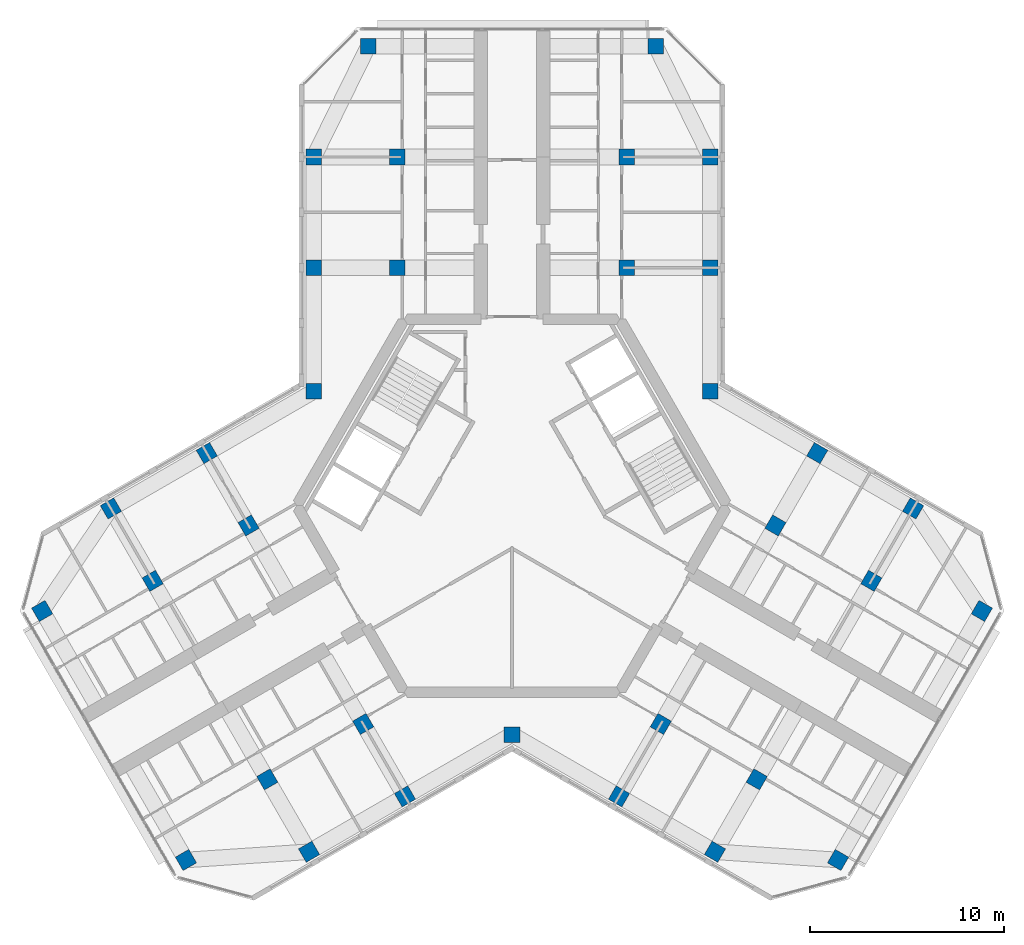
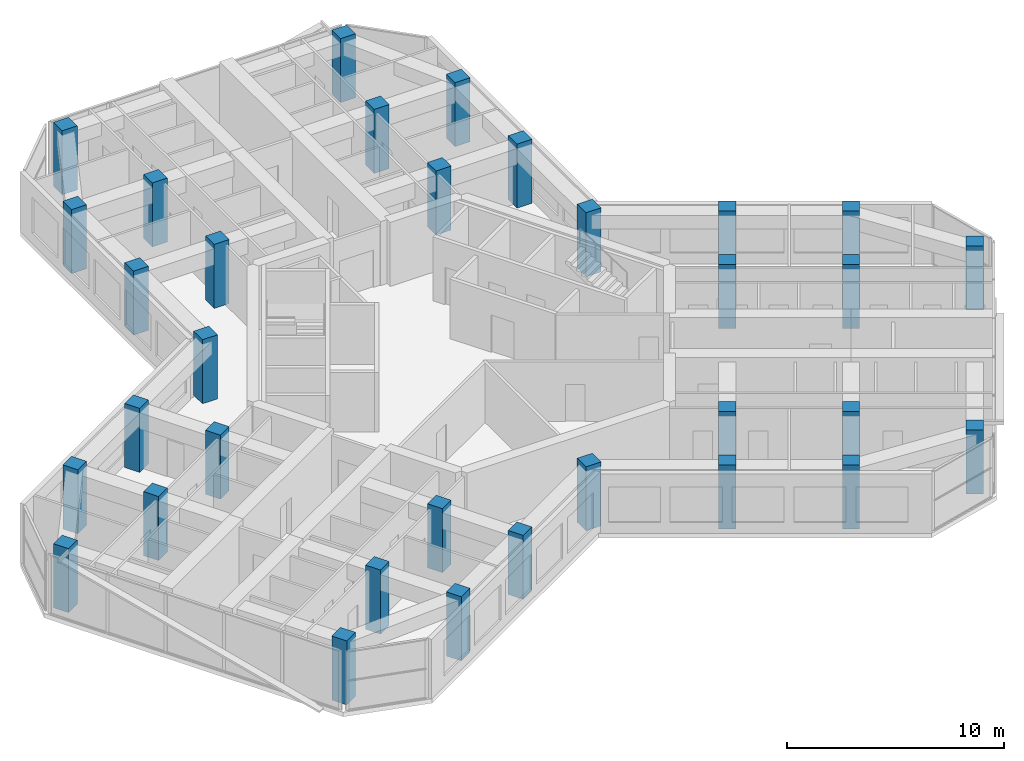
# One storey, part 1 of 14: 33 columns.
"""IFC4 building model written with IfcOpenShell, lengths in metres."""

from ifc_helpers import new_model, si_unit, direction, frame, origin, origin_2d, place, context, subcontext, project, spatial, rectangle, extrude, material, material_profile, profile_set, type_object, element, save


model = new_model("IFC4")

# Units and contexts
model_context = context("Model", 3, precision=1e-05, world=origin(), true_north=direction((0.0, 1.0)))
body_context = subcontext(model_context, "Body", "Model", "MODEL_VIEW")
ifc_project = project(units=[si_unit("LENGTHUNIT", "METRE"), si_unit("AREAUNIT", "SQUARE_METRE"), si_unit("VOLUMEUNIT", "CUBIC_METRE"), si_unit("PLANEANGLEUNIT", "RADIAN"), si_unit("MASSUNIT", "GRAM", prefix="KILO")], contexts=[model_context])

# Site, building, storey
site_placement = place(None, origin())
site = spatial("IfcSite", under=ifc_project, at=site_placement, CompositionType="ELEMENT")
building_placement = place(site_placement, origin())
building = spatial("IfcBuilding", under=site, at=building_placement, Name="Kosmar Iwan School Tower", CompositionType="ELEMENT")
storey_placement = place(building_placement, frame((0.0, 0.0, 281.800048828125)))
storey = spatial("IfcBuildingStorey", under=building, at=storey_placement, Name="L71", CompositionType="ELEMENT", Elevation=281.800048828125)

# Columns
ifc_material_1 = material(Name="Concrete C50/60", Category="concrete")
ifc_material_profile_1 = material_profile(ifc_material_1, rectangle(XDim=0.800048828125, YDim=0.800048828125, at=origin_2d()), Name="RC 800x800 + HE 300 M")
ifc_profile_set_1 = profile_set([ifc_material_profile_1], Name="Concrete C50/60")
column_type_1 = type_object("IfcColumnType", Name="Composite column 800x800 HE 300 M", PredefinedType="COLUMN", material=ifc_profile_set_1)
for number, where, z_axis, x_axis, name in (
    (1, (-10.199951171875, 12.25, 0.0), (0.0, 0.0, 1.0), (0.0, 1.0, 0.0), "Column AL1 L71"),
    (2, (-10.199951171875, 17.949951171875, 0.0), (0.0, 0.0, 1.0), (0.0, 1.0, 0.0), "Column AL2 L71"),
    (3, (-7.39990234375, 23.64990234375, 0.0), (0.0, 0.0, 1.0), (0.0, 1.0, 0.0), "Column ALTIP L71"),
    (4, (10.199951171875, 12.25, 0.0), (0.0, 0.0, 1.0), (0.0, 1.0, 0.0), "Column AR1 L71"),
    (5, (10.199951171875, 17.949951171875, 0.0), (0.0, 0.0, 1.0), (0.0, 1.0, 0.0), "Column AR2 L71"),
    (6, (7.39990234375, 23.64990234375, 0.0), (0.0, 0.0, 1.0), (0.0, 1.0, 0.0), "Column ARTIP L71"),
    (7, (-5.5087890625, -14.95849609375, 0.0), (0.0, 0.0, 1.0), (-0.866025403784, -0.5, 0.0), "Column BL1 L71"),
    (8, (-10.445068359375, -17.808349609375, 0.0), (0.0, 0.0, 1.0), (-0.866025403784, -0.5, 0.0), "Column BL2 L71"),
    (9, (-16.781494140625, -18.233642578125, 0.0), (0.0, 0.0, 1.0), (-0.866025403784, -0.5, 0.0), "Column BLTIP L71"),
    (10, (-15.708740234375, 2.70849609375, 0.0), (0.0, 0.0, 1.0), (-0.866025403784, -0.5, 0.0), "Column BR1 L71"),
    (11, (-20.645263671875, -0.1416015625, 0.0), (0.0, 0.0, 1.0), (-0.866025403784, -0.5, 0.0), "Column BR2 L71"),
    (12, (-24.181396484375, -5.41650390625, 0.0), (0.0, 0.0, 1.0), (-0.866025403784, -0.5, 0.0), "Column BRTIP L71"),
    (13, (15.708740234375, 2.70849609375, 0.0), (0.0, 0.0, 1.0), (0.866025403784, -0.5, 0.0), "Column CL1 L71"),
    (14, (20.645263671875, -0.1416015625, 0.0), (0.0, 0.0, 1.0), (0.866025403784, -0.5, 0.0), "Column CL2 L71"),
    (15, (24.181396484375, -5.41650390625, 0.0), (0.0, 0.0, 1.0), (0.866025403784, -0.5, 0.0), "Column CLTIP L71"),
    (16, (5.5087890625, -14.95849609375, 0.0), (0.0, 0.0, 1.0), (0.866025403784, -0.5, 0.0), "Column CR1 L71"),
    (17, (10.445068359375, -17.808349609375, 0.0), (0.0, 0.0, 1.0), (0.866025403784, -0.5, 0.0), "Column CR2 L71"),
    (18, (16.781494140625, -18.233642578125, 0.0), (0.0, 0.0, 1.0), (0.866025403784, -0.5, 0.0), "Column CRTIP L71"),
    (19, (-10.199951171875, 5.888916015625, 0.0), (0.0, 0.0, 1.0), (1.0, 0.0, 0.0), "Column RAB L71"),
    (20, (10.199951171875, 5.888916015625, 0.0), (0.0, 0.0, 1.0), (1.0, 0.0, 0.0), "Column RAC L71"),
    (21, (0.0, -11.77783203125, 0.0), (0.0, 0.0, 1.0), (1.0, 0.0, 0.0), "Column RBC L71"),
):
    element("IfcColumn", number, at=place(storey_placement, frame(where, z_axis=z_axis, x_axis=x_axis)), inside=storey, type_object=column_type_1, Name=name, PredefinedType="COLUMN", context=body_context, shape_type="SweptSolid", body=[
        extrude(rectangle(XDim=0.800048828125, YDim=0.800048828125, at=origin_2d()), origin(), (0.0, 0.0, 1.0), 3.599853515625),
    ])
ifc_material_2 = material(Name="Concrete C50/60", Category="concrete")
ifc_material_profile_2 = material_profile(ifc_material_2, rectangle(XDim=0.800048828125, YDim=0.800048828125, at=origin_2d()), Name="RC 800x800")
ifc_profile_set_2 = profile_set([ifc_material_profile_2], Name="Concrete C50/60")
column_type_2 = type_object("IfcColumnType", Name="RC interior column 800x800", PredefinedType="COLUMN", material=ifc_profile_set_2)
for number, where, z_axis, x_axis, name in (
    (22, (-5.89990234375, 12.25, 0.0), (0.0, 0.0, 1.0), (0.0, 1.0, 0.0), "Interior column ALI1 L71"),
    (23, (-5.89990234375, 17.949951171875, 0.0), (0.0, 0.0, 1.0), (0.0, 1.0, 0.0), "Interior column ALI2 L71"),
    (24, (5.89990234375, 12.25, 0.0), (0.0, 0.0, 1.0), (0.0, 1.0, 0.0), "Interior column ARI1 L71"),
    (25, (5.89990234375, 17.949951171875, 0.0), (0.0, 0.0, 1.0), (0.0, 1.0, 0.0), "Interior column ARI2 L71"),
    (26, (-7.65869140625, -11.234619140625, 0.0), (0.0, 0.0, 1.0), (-0.866025403784, -0.5, 0.0), "Interior column BLI1 L71"),
    (27, (-12.59521484375, -14.08447265625, 0.0), (0.0, 0.0, 1.0), (-0.866025403784, -0.5, 0.0), "Interior column BLI2 L71"),
    (28, (-13.558837890625, -1.015380859375, 0.0), (0.0, 0.0, 1.0), (-0.866025403784, -0.5, 0.0), "Interior column BRI1 L71"),
    (29, (-18.4951171875, -3.865478515625, 0.0), (0.0, 0.0, 1.0), (-0.866025403784, -0.5, 0.0), "Interior column BRI2 L71"),
    (30, (13.558837890625, -1.015380859375, 0.0), (0.0, 0.0, 1.0), (0.866025403784, -0.5, 0.0), "Interior column CLI1 L71"),
    (31, (18.4951171875, -3.865478515625, 0.0), (0.0, 0.0, 1.0), (0.866025403784, -0.5, 0.0), "Interior column CLI2 L71"),
    (32, (7.65869140625, -11.234619140625, 0.0), (0.0, 0.0, 1.0), (0.866025403784, -0.5, 0.0), "Interior column CRI1 L71"),
    (33, (12.59521484375, -14.08447265625, 0.0), (0.0, 0.0, 1.0), (0.866025403784, -0.5, 0.0), "Interior column CRI2 L71"),
):
    element("IfcColumn", number, at=place(storey_placement, frame(where, z_axis=z_axis, x_axis=x_axis)), inside=storey, type_object=column_type_2, Name=name, PredefinedType="COLUMN", context=body_context, shape_type="SweptSolid", body=[
        extrude(rectangle(XDim=0.800048828125, YDim=0.800048828125, at=origin_2d()), origin(), (0.0, 0.0, 1.0), 3.599853515625),
    ])

save(model, "model.ifc")
